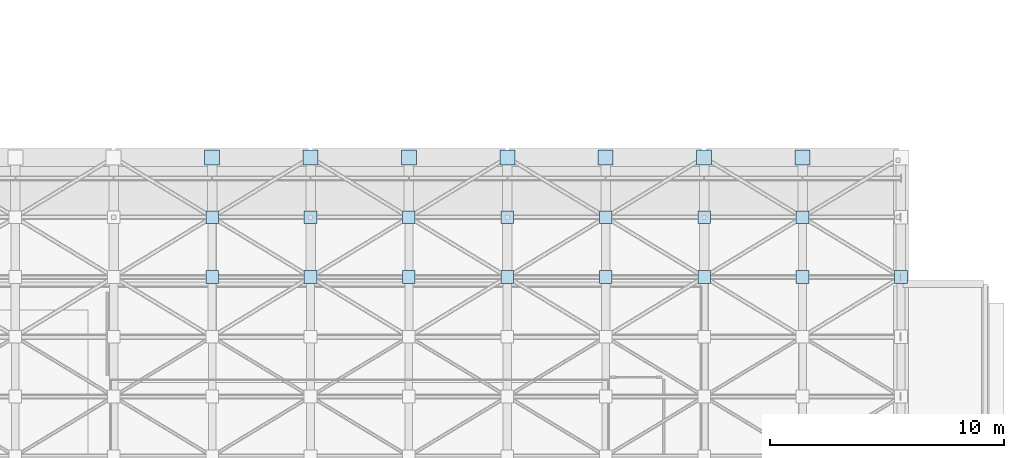
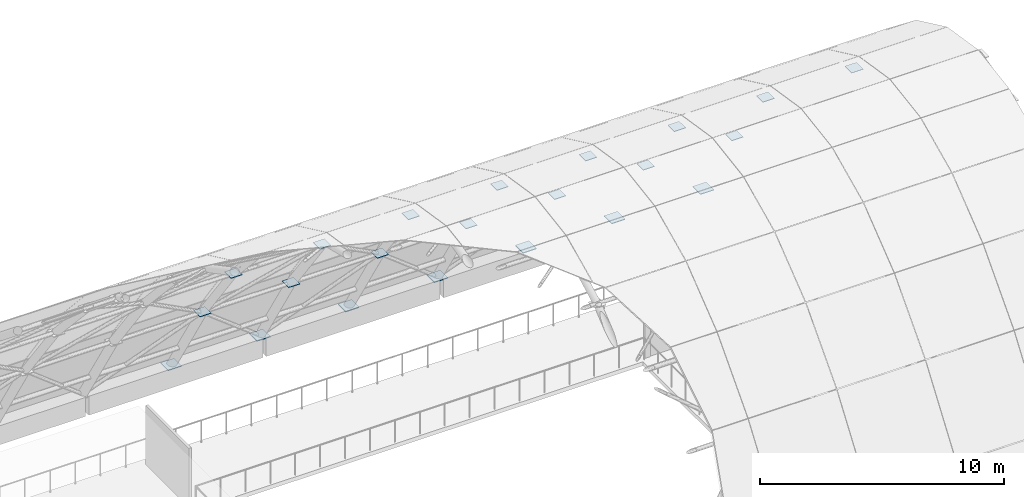
# One storey, part 50 of 128: 22 plates.
"""IFC4 building model written with IfcOpenShell, lengths in metres."""

import ifcopenshell
import ifcopenshell.guid

model = None  # the IFC model being written
_history = None  # IfcOwnerHistory: only IFC2X3 demands one
_inside = {}  # id of a spatial element -> (the spatial element, [elements in it])
_under = {}  # id of a project, library or spatial element -> (it, [spatial elements below it])
_declared = {}  # id of a project -> (the project, [libraries it declares])
_typed = {}  # id of a type object -> (the type object, [elements of that type])
_made_of = {}  # id of a material, layer set ... -> (it, [elements and type objects made of it])


def new_model(schema):
    """Start an empty IFC model of exactly this schema.

    Asked for "IFC4X3", IfcOpenShell would pick the latest addendum, in which some entities
    have other attributes; the version numbers below select the first issue.
    IFC2X3 requires an IfcOwnerHistory on every rooted entity: one is made here for all.
    """
    global model, _history
    if schema == "IFC4X3":
        model = ifcopenshell.file(schema_version=(4, 3, 0, 0))
    else:
        model = ifcopenshell.file(schema=schema)
    _inside.clear()
    _under.clear()
    _declared.clear()
    _typed.clear()
    _made_of.clear()
    _history = None
    if model.schema == "IFC2X3":
        org = make("IfcOrganization", Name="unknown")
        user = make(
            "IfcPersonAndOrganization",
            ThePerson=make("IfcPerson", FamilyName="unknown"),
            TheOrganization=org,
        )
        app = make(
            "IfcApplication",
            ApplicationDeveloper=org,
            Version="unknown",
            ApplicationFullName="unknown",
            ApplicationIdentifier="unknown",
        )
        _history = make(
            "IfcOwnerHistory",
            OwningUser=user,
            OwningApplication=app,
            ChangeAction="ADDED",
            CreationDate=0,
        )
    return model


def make(cls, **values):
    """One entity of the class cls with the attributes given. An attribute that is None is left unset."""
    return model.create_entity(
        cls, **{name: value for name, value in values.items() if value is not None}
    )


def rooted(cls, **values):
    """An entity with a GlobalId (a new one), such as an element, a storey or a relation."""
    return make(cls, GlobalId=ifcopenshell.guid.new(), OwnerHistory=_history, **values)


def si_unit(unit_type, name, prefix=None):
    """IfcSIUnit, for example si_unit("LENGTHUNIT", "METRE", prefix="MILLI")."""
    return make("IfcSIUnit", UnitType=unit_type, Prefix=prefix, Name=name)


def assignment(units):
    """IfcUnitAssignment: the units of a project."""
    return None if units is None else make("IfcUnitAssignment", Units=units)


def point(xyz):
    """IfcCartesianPoint."""
    return None if xyz is None else make("IfcCartesianPoint", Coordinates=xyz)


def direction(xyz):
    """IfcDirection."""
    return None if xyz is None else make("IfcDirection", DirectionRatios=xyz)


def frame(location, z_axis=None, x_axis=None):
    """IfcAxis2Placement3D, a coordinate frame: its origin and axes. An axis left out is left unset."""
    return make(
        "IfcAxis2Placement3D",
        Location=point(location),
        Axis=direction(z_axis),
        RefDirection=direction(x_axis),
    )


def frame_2d(location, x_axis=None):
    """IfcAxis2Placement2D, a coordinate frame in the plane: its origin and x axis."""
    return make(
        "IfcAxis2Placement2D", Location=point(location), RefDirection=direction(x_axis)
    )


def origin():
    """The frame at (0, 0, 0) with its axes left unset."""
    return frame((0.0, 0.0, 0.0))


def origin_2d():
    """The frame at (0, 0) in the plane with its x axis left unset."""
    return frame_2d((0.0, 0.0))


def place(relative_to, where):
    """IfcLocalPlacement: puts the frame where relative to a parent placement (None: the world)."""
    return make(
        "IfcLocalPlacement", PlacementRelTo=relative_to, RelativePlacement=where
    )


def context(
    kind, dimensions, precision=None, world=None, true_north=None, identifier=None
):
    """IfcGeometricRepresentationContext, for example the 3D "Model" context."""
    return make(
        "IfcGeometricRepresentationContext",
        ContextIdentifier=identifier,
        ContextType=kind,
        CoordinateSpaceDimension=dimensions,
        Precision=precision,
        WorldCoordinateSystem=world,
        TrueNorth=true_north,
    )


def subcontext(parent, identifier, kind, view, scale=None):
    """IfcGeometricRepresentationSubContext, for example "Body" below "Model"."""
    return make(
        "IfcGeometricRepresentationSubContext",
        ContextIdentifier=identifier,
        ContextType=kind,
        ParentContext=parent,
        TargetScale=scale,
        TargetView=view,
    )


def project(units=None, contexts=None):
    """IfcProject with its units and contexts."""
    return rooted(
        "IfcProject",
        Name="project",
        RepresentationContexts=contexts,
        UnitsInContext=assignment(units),
    )


def spatial(cls, under=None, at=None, **own):
    """A site, building, storey or space (cls), placed at a placement, below another one or the project."""
    s = rooted(cls, ObjectPlacement=at, **own)
    if under is not None:
        _under.setdefault(under.id(), (under, []))[1].append(s)
    return s


def profile(cls, at=None, kind="AREA", **sizes):
    """A parametric profile (cls). Its sizes go by their IFC names, for example OverallWidth=200.0."""
    return make(cls, ProfileType=kind, Position=at, **sizes)


def rectangle(**sizes):
    """IfcRectangleProfileDef."""
    return profile("IfcRectangleProfileDef", **sizes)


def extrude(swept, where, along, depth):
    """IfcExtrudedAreaSolid: the profile swept, set in the frame where, extruded along a direction by depth."""
    return make(
        "IfcExtrudedAreaSolid",
        SweptArea=swept,
        Position=where,
        ExtrudedDirection=direction(along),
        Depth=depth,
    )


def shape(context_of_items, identifier, shape_type, items):
    """IfcShapeRepresentation: the items that make up one representation, for example the "Body"."""
    return make(
        "IfcShapeRepresentation",
        ContextOfItems=context_of_items,
        RepresentationIdentifier=identifier,
        RepresentationType=shape_type,
        Items=items,
    )


def material(Name=None, Category=None):
    """IfcMaterial."""
    return make("IfcMaterial", Name=Name, Category=Category)


def layer(
    of_material, thickness, ventilated=None, Name=None, Category=None, Priority=None
):
    """IfcMaterialLayer: one layer of a wall or slab, of a material (None: an air gap)."""
    return make(
        "IfcMaterialLayer",
        Material=of_material,
        LayerThickness=thickness,
        IsVentilated=ventilated,
        Name=Name,
        Category=Category,
        Priority=Priority,
    )


def layer_set(layers, Name=None):
    """IfcMaterialLayerSet."""
    return make("IfcMaterialLayerSet", MaterialLayers=layers, LayerSetName=Name)


def made_of(thing, what):
    """Note that an element or type object is made of a material, layer set ...; save() writes the relation."""
    if what is not None:
        _made_of.setdefault(what.id(), (what, []))[1].append(thing)
    return thing


def type_object(cls, material=None, **own):
    """A type object (cls), such as IfcWallType, which elements share."""
    return made_of(rooted(cls, **own), material)


def element(
    cls,
    number,
    at=None,
    inside=None,
    cuts=None,
    type_object=None,
    material=None,
    context=None,
    identifier="Body",
    shape_type=None,
    held_by="IfcProductDefinitionShape",
    body=None,
    shapes=None,
    **own,
):
    """One element of the class cls, such as IfcWall. Its Tag is "e" and its number.

    at: its placement. inside: the storey or other place that contains it. cuts: it is an
    opening in that element (IfcRelVoidsElement). A single representation is given by context,
    identifier, shape_type and body (its items); several are given by shapes. held_by: the class
    of the entity that holds the representations. save() writes the other relations.
    """
    e = rooted(cls, Tag="e%d" % number, ObjectPlacement=at, **own)
    if body is not None:
        shapes = [shape(context, identifier, shape_type, body)]
    if shapes is not None:
        e.Representation = make(held_by, Representations=shapes)
    if inside is not None:
        _inside.setdefault(inside.id(), (inside, []))[1].append(e)
    if cuts is not None:
        rooted(
            "IfcRelVoidsElement", RelatingBuildingElement=cuts, RelatedOpeningElement=e
        )
    if type_object is not None:
        _typed.setdefault(type_object.id(), (type_object, []))[1].append(e)
    return made_of(e, material)


def aggregate(whole, parts):
    """IfcRelAggregates: a whole, such as a stair, and the parts it consists of."""
    return rooted("IfcRelAggregates", RelatingObject=whole, RelatedObjects=parts)


def save(model, path):
    """Write the relations noted so far, then the file.

    IfcRelAggregates (storeys below a building ...), IfcRelContainedInSpatialStructure (elements
    in a storey), IfcRelDefinesByType, IfcRelAssociatesMaterial and IfcRelDeclares: one each for
    every whole, place, type object, material and project.
    """
    for whole, parts in _under.values():
        aggregate(whole, parts)
    for where, things in _inside.values():
        rooted(
            "IfcRelContainedInSpatialStructure",
            RelatedElements=things,
            RelatingStructure=where,
        )
    for kind, things in _typed.values():
        rooted("IfcRelDefinesByType", RelatedObjects=things, RelatingType=kind)
    for what, things in _made_of.values():
        rooted("IfcRelAssociatesMaterial", RelatedObjects=things, RelatingMaterial=what)
    for by, libraries in _declared.values():
        rooted("IfcRelDeclares", RelatingContext=by, RelatedDefinitions=libraries)
    model.write(path)


model = new_model("IFC4")

# Units and contexts
model_context = context("Model", 3, precision=1e-05, world=origin(), true_north=direction((0.0, 1.0)))
body_context = subcontext(model_context, "Body", "Model", "MODEL_VIEW")
ifc_project = project(units=[si_unit("LENGTHUNIT", "METRE"), si_unit("AREAUNIT", "SQUARE_METRE"), si_unit("VOLUMEUNIT", "CUBIC_METRE"), si_unit("PLANEANGLEUNIT", "RADIAN"), si_unit("MASSUNIT", "GRAM", prefix="KILO")], contexts=[model_context])

# Site, building, storey
site_placement = place(None, origin())
site = spatial("IfcSite", under=ifc_project, at=site_placement, CompositionType="ELEMENT")
building_placement = place(site_placement, origin())
building = spatial("IfcBuilding", under=site, at=building_placement, Name="Telukmera Botanical Conservatory", CompositionType="ELEMENT")
storey_placement = place(building_placement, frame((0.0, 0.0, 5.39990234375)))
storey = spatial("IfcBuildingStorey", under=building, at=storey_placement, Name="L01", CompositionType="ELEMENT", Elevation=5.39990234375)

# Plates
ifc_material = material(Name="Steel S355", Category="steel")
ifc_layer_1 = layer(ifc_material, 0.031982421875)
ifc_layer_set_1 = layer_set([ifc_layer_1], Name="Steel S355")
plate_type_1 = type_object("IfcPlateType", Name="Plate_GN1", PredefinedType="USERDEFINED", material=ifc_layer_set_1)
for number, where, z_axis, x_axis, name in (
    (1, (138.60009765625, 48.199951171875, -0.095703125), (0.0, 0.0, 1.0), (1.0, 0.0, 0.0), "GN1 Gridshell Welded Node Drum (05-12)"),
    (2, (142.800048828125, 48.199951171875, -0.095703125), (0.0, 0.0, 1.0), (1.0, 0.0, 0.0), "GN1 Gridshell Welded Node Drum (06-12)"),
    (3, (147.0, 48.199951171875, -0.095703125), (0.0, 0.0, 1.0), (1.0, 0.0, 0.0), "GN1 Gridshell Welded Node Drum (07-12)"),
    (4, (151.199951171875, 48.199951171875, -0.095703125), (0.0, 0.0, 1.0), (1.0, 0.0, 0.0), "GN1 Gridshell Welded Node Drum (08-12)"),
    (5, (155.39990234375, 48.199951171875, -0.095703125), (0.0, 0.0, 1.0), (1.0, 0.0, 0.0), "GN1 Gridshell Welded Node Drum (09-12)"),
    (6, (159.60009765625, 48.199951171875, -0.095703125), (0.0, 0.0, 1.0), (1.0, 0.0, 0.0), "GN1 Gridshell Welded Node Drum (10-12)"),
    (7, (163.800048828125, 48.199951171875, -0.095703125), (0.0, 0.0, 1.0), (1.0, 0.0, 0.0), "GN1 Gridshell Welded Node Drum (11-12)"),
):
    element("IfcPlate", number, at=place(storey_placement, frame(where, z_axis=z_axis, x_axis=x_axis)), inside=storey, type_object=plate_type_1, Name=name, ObjectType="GUSSET_PLATE", PredefinedType="USERDEFINED", context=body_context, shape_type="SweptSolid", body=[
        extrude(rectangle(XDim=0.639892578125, YDim=0.639892578125, at=origin_2d()), origin(), (0.0, 0.0, 1.0), 0.031982421875),
    ])
ifc_layer_2 = layer(ifc_material, 0.02490234375)
ifc_layer_set_2 = layer_set([ifc_layer_2], Name="Steel S355")
plate_type_2 = type_object("IfcPlateType", Name="Plate_GN2", PredefinedType="USERDEFINED", material=ifc_layer_set_2)
for number, where, z_axis, x_axis, name in (
    (8, (138.60009765625, 43.10009765625, 7.56591796875), (0.0, 0.0, 1.0), (1.0, 0.0, 0.0), "GN2 Gridshell Welded Node Drum (05-10)"),
    (9, (138.60009765625, 45.64990234375, 4.0908203125), (0.0, 0.0, 1.0), (1.0, 0.0, 0.0), "GN2 Gridshell Welded Node Drum (05-11)"),
    (10, (142.800048828125, 43.10009765625, 7.56591796875), (0.0, 0.0, 1.0), (1.0, 0.0, 0.0), "GN2 Gridshell Welded Node Drum (06-10)"),
    (11, (142.800048828125, 45.64990234375, 4.0908203125), (0.0, 0.0, 1.0), (1.0, 0.0, 0.0), "GN2 Gridshell Welded Node Drum (06-11)"),
    (12, (147.0, 43.10009765625, 7.56591796875), (0.0, 0.0, 1.0), (1.0, 0.0, 0.0), "GN2 Gridshell Welded Node Drum (07-10)"),
    (13, (147.0, 45.64990234375, 4.0908203125), (0.0, 0.0, 1.0), (1.0, 0.0, 0.0), "GN2 Gridshell Welded Node Drum (07-11)"),
    (14, (151.199951171875, 43.10009765625, 7.56591796875), (0.0, 0.0, 1.0), (1.0, 0.0, 0.0), "GN2 Gridshell Welded Node Drum (08-10)"),
    (15, (151.199951171875, 45.64990234375, 4.0908203125), (0.0, 0.0, 1.0), (1.0, 0.0, 0.0), "GN2 Gridshell Welded Node Drum (08-11)"),
    (16, (155.39990234375, 43.10009765625, 7.56591796875), (0.0, 0.0, 1.0), (1.0, 0.0, 0.0), "GN2 Gridshell Welded Node Drum (09-10)"),
    (17, (155.39990234375, 45.64990234375, 4.0908203125), (0.0, 0.0, 1.0), (1.0, 0.0, 0.0), "GN2 Gridshell Welded Node Drum (09-11)"),
    (18, (159.60009765625, 43.10009765625, 7.56591796875), (0.0, 0.0, 1.0), (1.0, 0.0, 0.0), "GN2 Gridshell Welded Node Drum (10-10)"),
    (19, (159.60009765625, 45.64990234375, 4.0908203125), (0.0, 0.0, 1.0), (1.0, 0.0, 0.0), "GN2 Gridshell Welded Node Drum (10-11)"),
    (20, (163.800048828125, 43.10009765625, 7.56591796875), (0.0, 0.0, 1.0), (1.0, 0.0, 0.0), "GN2 Gridshell Welded Node Drum (11-10)"),
    (21, (163.800048828125, 45.64990234375, 4.0908203125), (0.0, 0.0, 1.0), (1.0, 0.0, 0.0), "GN2 Gridshell Welded Node Drum (11-11)"),
):
    element("IfcPlate", number, at=place(storey_placement, frame(where, z_axis=z_axis, x_axis=x_axis)), inside=storey, type_object=plate_type_2, Name=name, ObjectType="GUSSET_PLATE", PredefinedType="USERDEFINED", context=body_context, shape_type="SweptSolid", body=[
        extrude(rectangle(XDim=0.5400390625, YDim=0.5400390625, at=origin_2d()), origin(), (0.0, 0.0, 1.0), 0.02490234375),
    ])
ifc_layer_3 = layer(ifc_material, 0.02001953125)
ifc_layer_set_3 = layer_set([ifc_layer_3], Name="Steel S355")
plate_type_3 = type_object("IfcPlateType", Name="Plate_GN3", PredefinedType="USERDEFINED", material=ifc_layer_set_3)
plate_placement = place(storey_placement, frame((168.0, 43.10009765625, 7.568359375), z_axis=(0.0, 0.0, 1.0), x_axis=(1.0, 0.0, 0.0)))
element("IfcPlate", 22, at=plate_placement, inside=storey, type_object=plate_type_3, Name="GN3 Gridshell Welded Node Drum (12-10)", ObjectType="GUSSET_PLATE", PredefinedType="USERDEFINED", context=body_context, shape_type="SweptSolid", body=[
    extrude(rectangle(XDim=0.56005859375, YDim=0.56005859375, at=origin_2d()), origin(), (0.0, 0.0, 1.0), 0.02001953125),
])

save(model, "model.ifc")
